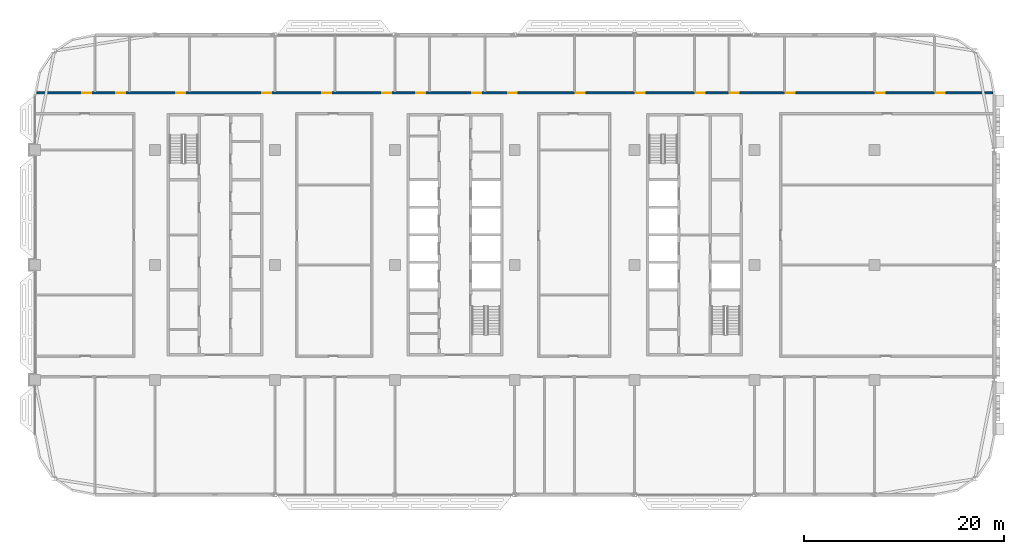
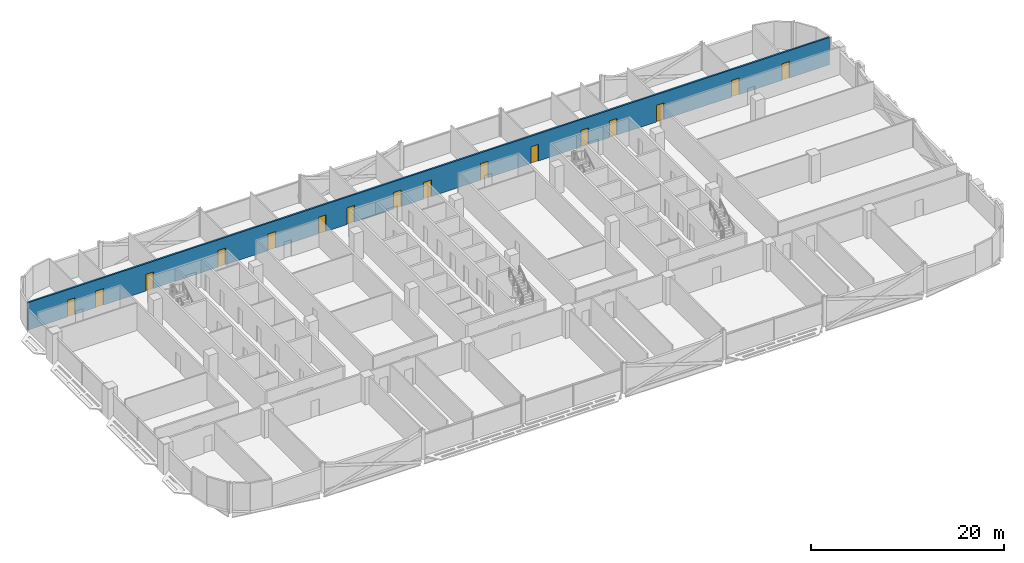
# One storey, part 16 of 30: 16 doors, 1 wall, 16 openings.
"""IFC4 building model written with IfcOpenShell, lengths in metres."""

from ifc_helpers import new_model, si_unit, direction, frame, frame_2d, origin, place, context, subcontext, project, spatial, rectangle, extrude, material, layer, layer_set, type_object, element, fill, save


model = new_model("IFC4")

# Units and contexts
model_context = context("Model", 3, precision=1e-05, world=origin(), true_north=direction((0.0, 1.0)))
body_context = subcontext(model_context, "Body", "Model", "MODEL_VIEW")
ifc_project = project(units=[si_unit("LENGTHUNIT", "METRE"), si_unit("AREAUNIT", "SQUARE_METRE"), si_unit("VOLUMEUNIT", "CUBIC_METRE"), si_unit("PLANEANGLEUNIT", "RADIAN"), si_unit("MASSUNIT", "GRAM", prefix="KILO")], contexts=[model_context])

# Site, building, storey
site_placement = place(None, origin())
site = spatial("IfcSite", under=ifc_project, at=site_placement, CompositionType="ELEMENT")
building_placement = place(site_placement, origin())
building = spatial("IfcBuilding", under=site, at=building_placement, Name="Mahtab Terrace Research Tower", CompositionType="ELEMENT")
storey_placement = place(building_placement, frame((0.0, 0.0, 212.89990234375)))
storey = spatial("IfcBuildingStorey", under=building, at=storey_placement, Name="L51", CompositionType="ELEMENT", Elevation=212.89990234375)

# Wall, openings, doors
ifc_material_1 = material(Name="Gypsum board corridor wall on steel studs", Category="steel")
ifc_layer = layer(ifc_material_1, 0.199951171875)
ifc_layer_set = layer_set([ifc_layer], Name="WALL CORRIDOR 200")
wall_type = type_object("IfcWallType", Name="WALL CORRIDOR 200", PredefinedType="PARTITIONING", material=ifc_layer_set)
wall_placement = place(storey_placement, frame((-41.97509765625, 17.199951171875, 0.0), z_axis=(0.0, 0.0, 1.0), x_axis=(1.0, 0.0, 0.0)))
wall = element("IfcWall", 1, at=wall_placement, inside=storey, type_object=wall_type, Name="L51-W026", PredefinedType="PARTITIONING", context=body_context, shape_type="SweptSolid", body=[
    extrude(rectangle(XDim=95.782470703125, YDim=0.199951171875, at=frame_2d((47.89111328125, 0.0))), origin(), (0.0, 0.0, 1.0), 3.460205078125),
])
opening_1_placement = place(wall_placement, frame((4.699951171875, 0.0, 0.0)))
opening_1 = element("IfcOpeningElement", 2, at=opening_1_placement, cuts=wall, Name="Opening L51-128", PredefinedType="OPENING", context=body_context, shape_type="SweptSolid", body=[
    extrude(rectangle(XDim=0.89990234375, YDim=2.10009765625, at=frame_2d((0.449951171875, 1.050048828125))), frame((0.0, 0.10986328125, 0.0), z_axis=(0.0, -1.0, 0.0), x_axis=(1.0, 0.0, 0.0)), (0.0, 0.0, 1.0), 0.219970703125),
])
opening_2_placement = place(wall_placement, frame((8.10009765625, 0.0, 0.0)))
opening_2 = element("IfcOpeningElement", 3, at=opening_2_placement, cuts=wall, Name="Opening L51-129", PredefinedType="OPENING", context=body_context, shape_type="SweptSolid", body=[
    extrude(rectangle(XDim=0.89990234375, YDim=2.10009765625, at=frame_2d((0.449951171875, 1.050048828125))), frame((0.0, 0.10986328125, 0.0), z_axis=(0.0, -1.0, 0.0), x_axis=(1.0, 0.0, 0.0)), (0.0, 0.0, 1.0), 0.219970703125),
])
opening_3_placement = place(wall_placement, frame((14.10009765625, 0.0, 0.0)))
opening_3 = element("IfcOpeningElement", 4, at=opening_3_placement, cuts=wall, Name="Opening L51-130", PredefinedType="OPENING", context=body_context, shape_type="SweptSolid", body=[
    extrude(rectangle(XDim=0.89990234375, YDim=2.10009765625, at=frame_2d((0.449951171875, 1.050048828125))), frame((0.0, 0.10986328125, 0.0), z_axis=(0.0, -1.0, 0.0), x_axis=(1.0, 0.0, 0.0)), (0.0, 0.0, 1.0), 0.219970703125),
])
opening_4_placement = place(wall_placement, frame((22.699951171875, 0.0, 0.0)))
opening_4 = element("IfcOpeningElement", 5, at=opening_4_placement, cuts=wall, Name="Opening L51-131", PredefinedType="OPENING", context=body_context, shape_type="SweptSolid", body=[
    extrude(rectangle(XDim=0.89990234375, YDim=2.10009765625, at=frame_2d((0.449951171875, 1.050048828125))), frame((0.0, 0.10986328125, 0.0), z_axis=(0.0, -1.0, 0.0), x_axis=(1.0, 0.0, 0.0)), (0.0, 0.0, 1.0), 0.219970703125),
])
opening_5_placement = place(wall_placement, frame((28.699951171875, 0.0, 0.0)))
opening_5 = element("IfcOpeningElement", 6, at=opening_5_placement, cuts=wall, Name="Opening L51-132", PredefinedType="OPENING", context=body_context, shape_type="SweptSolid", body=[
    extrude(rectangle(XDim=0.89990234375, YDim=2.10009765625, at=frame_2d((0.449951171875, 1.050048828125))), frame((0.0, 0.10986328125, 0.0), z_axis=(0.0, -1.0, 0.0), x_axis=(1.0, 0.0, 0.0)), (0.0, 0.0, 1.0), 0.219970703125),
])
opening_6_placement = place(wall_placement, frame((34.699951171875, 0.0, 0.0)))
opening_6 = element("IfcOpeningElement", 7, at=opening_6_placement, cuts=wall, Name="Opening L51-133", PredefinedType="OPENING", context=body_context, shape_type="SweptSolid", body=[
    extrude(rectangle(XDim=0.89990234375, YDim=2.10009765625, at=frame_2d((0.449951171875, 1.050048828125))), frame((0.0, 0.10986328125, 0.0), z_axis=(0.0, -1.0, 0.0), x_axis=(1.0, 0.0, 0.0)), (0.0, 0.0, 1.0), 0.219970703125),
])
opening_7_placement = place(wall_placement, frame((38.10009765625, 0.0, 0.0)))
opening_7 = element("IfcOpeningElement", 8, at=opening_7_placement, cuts=wall, Name="Opening L51-134", PredefinedType="OPENING", context=body_context, shape_type="SweptSolid", body=[
    extrude(rectangle(XDim=0.89990234375, YDim=2.10009765625, at=frame_2d((0.449951171875, 1.050048828125))), frame((0.0, 0.10986328125, 0.0), z_axis=(0.0, -1.0, 0.0), x_axis=(1.0, 0.0, 0.0)), (0.0, 0.0, 1.0), 0.219970703125),
])
opening_8_placement = place(wall_placement, frame((43.699951171875, 0.0, 0.0)))
opening_8 = element("IfcOpeningElement", 9, at=opening_8_placement, cuts=wall, Name="Opening L51-135", PredefinedType="OPENING", context=body_context, shape_type="SweptSolid", body=[
    extrude(rectangle(XDim=0.89990234375, YDim=2.10009765625, at=frame_2d((0.449951171875, 1.050048828125))), frame((0.0, 0.10986328125, 0.0), z_axis=(0.0, -1.0, 0.0), x_axis=(1.0, 0.0, 0.0)), (0.0, 0.0, 1.0), 0.219970703125),
])
opening_9_placement = place(wall_placement, frame((47.300048828125, 0.0, 0.0)))
opening_9 = element("IfcOpeningElement", 10, at=opening_9_placement, cuts=wall, Name="Opening L51-136", PredefinedType="OPENING", context=body_context, shape_type="SweptSolid", body=[
    extrude(rectangle(XDim=0.89990234375, YDim=2.10009765625, at=frame_2d((0.449951171875, 1.050048828125))), frame((0.0, 0.10986328125, 0.0), z_axis=(0.0, -1.0, 0.0), x_axis=(1.0, 0.0, 0.0)), (0.0, 0.0, 1.0), 0.219970703125),
])
opening_10_placement = place(wall_placement, frame((54.10009765625, 0.0, 0.0)))
opening_10 = element("IfcOpeningElement", 11, at=opening_10_placement, cuts=wall, Name="Opening L51-137", PredefinedType="OPENING", context=body_context, shape_type="SweptSolid", body=[
    extrude(rectangle(XDim=0.89990234375, YDim=2.10009765625, at=frame_2d((0.449951171875, 1.050048828125))), frame((0.0, 0.10986328125, 0.0), z_axis=(0.0, -1.0, 0.0), x_axis=(1.0, 0.0, 0.0)), (0.0, 0.0, 1.0), 0.219970703125),
])
opening_11_placement = place(wall_placement, frame((60.10009765625, 0.0, 0.0)))
opening_11 = element("IfcOpeningElement", 12, at=opening_11_placement, cuts=wall, Name="Opening L51-138", PredefinedType="OPENING", context=body_context, shape_type="SweptSolid", body=[
    extrude(rectangle(XDim=0.89990234375, YDim=2.10009765625, at=frame_2d((0.449951171875, 1.050048828125))), frame((0.0, 0.10986328125, 0.0), z_axis=(0.0, -1.0, 0.0), x_axis=(1.0, 0.0, 0.0)), (0.0, 0.0, 1.0), 0.219970703125),
])
opening_12_placement = place(wall_placement, frame((66.10009765625, 0.0, 0.0)))
opening_12 = element("IfcOpeningElement", 13, at=opening_12_placement, cuts=wall, Name="Opening L51-139", PredefinedType="OPENING", context=body_context, shape_type="SweptSolid", body=[
    extrude(rectangle(XDim=0.89990234375, YDim=2.10009765625, at=frame_2d((0.449951171875, 1.050048828125))), frame((0.0, 0.10986328125, 0.0), z_axis=(0.0, -1.0, 0.0), x_axis=(1.0, 0.0, 0.0)), (0.0, 0.0, 1.0), 0.219970703125),
])
opening_13_placement = place(wall_placement, frame((69.5, 0.0, 0.0)))
opening_13 = element("IfcOpeningElement", 14, at=opening_13_placement, cuts=wall, Name="Opening L51-140", PredefinedType="OPENING", context=body_context, shape_type="SweptSolid", body=[
    extrude(rectangle(XDim=0.89990234375, YDim=2.10009765625, at=frame_2d((0.449951171875, 1.050048828125))), frame((0.0, 0.10986328125, 0.0), z_axis=(0.0, -1.0, 0.0), x_axis=(1.0, 0.0, 0.0)), (0.0, 0.0, 1.0), 0.219970703125),
])
opening_14_placement = place(wall_placement, frame((75.10009765625, 0.0, 0.0)))
opening_14 = element("IfcOpeningElement", 15, at=opening_14_placement, cuts=wall, Name="Opening L51-141", PredefinedType="OPENING", context=body_context, shape_type="SweptSolid", body=[
    extrude(rectangle(XDim=0.89990234375, YDim=2.10009765625, at=frame_2d((0.449951171875, 1.050048828125))), frame((0.0, 0.10986328125, 0.0), z_axis=(0.0, -1.0, 0.0), x_axis=(1.0, 0.0, 0.0)), (0.0, 0.0, 1.0), 0.219970703125),
])
opening_15_placement = place(wall_placement, frame((84.10009765625, 0.0, 0.0)))
opening_15 = element("IfcOpeningElement", 16, at=opening_15_placement, cuts=wall, Name="Opening L51-142", PredefinedType="OPENING", context=body_context, shape_type="SweptSolid", body=[
    extrude(rectangle(XDim=0.89990234375, YDim=2.10009765625, at=frame_2d((0.449951171875, 1.050048828125))), frame((0.0, 0.10986328125, 0.0), z_axis=(0.0, -1.0, 0.0), x_axis=(1.0, 0.0, 0.0)), (0.0, 0.0, 1.0), 0.219970703125),
])
opening_16_placement = place(wall_placement, frame((90.10009765625, 0.0, 0.0)))
opening_16 = element("IfcOpeningElement", 17, at=opening_16_placement, cuts=wall, Name="Opening L51-143", PredefinedType="OPENING", context=body_context, shape_type="SweptSolid", body=[
    extrude(rectangle(XDim=0.89990234375, YDim=2.10009765625, at=frame_2d((0.449951171875, 1.050048828125))), frame((0.0, 0.10986328125, 0.0), z_axis=(0.0, -1.0, 0.0), x_axis=(1.0, 0.0, 0.0)), (0.0, 0.0, 1.0), 0.219970703125),
])
ifc_material_2 = material(Name="Timber door leaf in steel frame", Category="steel")
door_type = type_object("IfcDoorType", Name="DOOR 0900X2100 FD30S", OperationType="SINGLE_SWING_LEFT", PredefinedType="DOOR", material=ifc_material_2)
door_1_placement = place(opening_1_placement, origin())
door_1 = element("IfcDoor", 18, at=door_1_placement, inside=storey, type_object=door_type, Name="Door L51-128", OperationType="SINGLE_SWING_LEFT", OverallHeight=2.10009765625, OverallWidth=0.89990234375, PredefinedType="DOOR", context=body_context, shape_type="SweptSolid", body=[
    extrude(rectangle(XDim=0.89990234375, YDim=2.10009765625, at=frame_2d((0.449951171875, 1.050048828125))), frame((0.0, 0.02490234375, 0.0), z_axis=(0.0, -1.0, 0.0), x_axis=(1.0, 0.0, 0.0)), (0.0, 0.0, 1.0), 0.050048828125),
])
fill(opening_1, door_1)
door_2_placement = place(opening_2_placement, origin())
door_2 = element("IfcDoor", 19, at=door_2_placement, inside=storey, type_object=door_type, Name="Door L51-129", OperationType="SINGLE_SWING_LEFT", OverallHeight=2.10009765625, OverallWidth=0.89990234375, PredefinedType="DOOR", context=body_context, shape_type="SweptSolid", body=[
    extrude(rectangle(XDim=0.89990234375, YDim=2.10009765625, at=frame_2d((0.449951171875, 1.050048828125))), frame((0.0, 0.02490234375, 0.0), z_axis=(0.0, -1.0, 0.0), x_axis=(1.0, 0.0, 0.0)), (0.0, 0.0, 1.0), 0.050048828125),
])
fill(opening_2, door_2)
door_3_placement = place(opening_3_placement, origin())
door_3 = element("IfcDoor", 20, at=door_3_placement, inside=storey, type_object=door_type, Name="Door L51-130", OperationType="SINGLE_SWING_LEFT", OverallHeight=2.10009765625, OverallWidth=0.89990234375, PredefinedType="DOOR", context=body_context, shape_type="SweptSolid", body=[
    extrude(rectangle(XDim=0.89990234375, YDim=2.10009765625, at=frame_2d((0.449951171875, 1.050048828125))), frame((0.0, 0.02490234375, 0.0), z_axis=(0.0, -1.0, 0.0), x_axis=(1.0, 0.0, 0.0)), (0.0, 0.0, 1.0), 0.050048828125),
])
fill(opening_3, door_3)
door_4_placement = place(opening_4_placement, origin())
door_4 = element("IfcDoor", 21, at=door_4_placement, inside=storey, type_object=door_type, Name="Door L51-131", OperationType="SINGLE_SWING_LEFT", OverallHeight=2.10009765625, OverallWidth=0.89990234375, PredefinedType="DOOR", context=body_context, shape_type="SweptSolid", body=[
    extrude(rectangle(XDim=0.89990234375, YDim=2.10009765625, at=frame_2d((0.449951171875, 1.050048828125))), frame((0.0, 0.02490234375, 0.0), z_axis=(0.0, -1.0, 0.0), x_axis=(1.0, 0.0, 0.0)), (0.0, 0.0, 1.0), 0.050048828125),
])
fill(opening_4, door_4)
door_5_placement = place(opening_5_placement, origin())
door_5 = element("IfcDoor", 22, at=door_5_placement, inside=storey, type_object=door_type, Name="Door L51-132", OperationType="SINGLE_SWING_LEFT", OverallHeight=2.10009765625, OverallWidth=0.89990234375, PredefinedType="DOOR", context=body_context, shape_type="SweptSolid", body=[
    extrude(rectangle(XDim=0.89990234375, YDim=2.10009765625, at=frame_2d((0.449951171875, 1.050048828125))), frame((0.0, 0.02490234375, 0.0), z_axis=(0.0, -1.0, 0.0), x_axis=(1.0, 0.0, 0.0)), (0.0, 0.0, 1.0), 0.050048828125),
])
fill(opening_5, door_5)
door_6_placement = place(opening_6_placement, origin())
door_6 = element("IfcDoor", 23, at=door_6_placement, inside=storey, type_object=door_type, Name="Door L51-133", OperationType="SINGLE_SWING_LEFT", OverallHeight=2.10009765625, OverallWidth=0.89990234375, PredefinedType="DOOR", context=body_context, shape_type="SweptSolid", body=[
    extrude(rectangle(XDim=0.89990234375, YDim=2.10009765625, at=frame_2d((0.449951171875, 1.050048828125))), frame((0.0, 0.02490234375, 0.0), z_axis=(0.0, -1.0, 0.0), x_axis=(1.0, 0.0, 0.0)), (0.0, 0.0, 1.0), 0.050048828125),
])
fill(opening_6, door_6)
door_7_placement = place(opening_7_placement, origin())
door_7 = element("IfcDoor", 24, at=door_7_placement, inside=storey, type_object=door_type, Name="Door L51-134", OperationType="SINGLE_SWING_LEFT", OverallHeight=2.10009765625, OverallWidth=0.89990234375, PredefinedType="DOOR", context=body_context, shape_type="SweptSolid", body=[
    extrude(rectangle(XDim=0.89990234375, YDim=2.10009765625, at=frame_2d((0.449951171875, 1.050048828125))), frame((0.0, 0.02490234375, 0.0), z_axis=(0.0, -1.0, 0.0), x_axis=(1.0, 0.0, 0.0)), (0.0, 0.0, 1.0), 0.050048828125),
])
fill(opening_7, door_7)
door_8_placement = place(opening_8_placement, origin())
door_8 = element("IfcDoor", 25, at=door_8_placement, inside=storey, type_object=door_type, Name="Door L51-135", OperationType="SINGLE_SWING_LEFT", OverallHeight=2.10009765625, OverallWidth=0.89990234375, PredefinedType="DOOR", context=body_context, shape_type="SweptSolid", body=[
    extrude(rectangle(XDim=0.89990234375, YDim=2.10009765625, at=frame_2d((0.449951171875, 1.050048828125))), frame((0.0, 0.02490234375, 0.0), z_axis=(0.0, -1.0, 0.0), x_axis=(1.0, 0.0, 0.0)), (0.0, 0.0, 1.0), 0.050048828125),
])
fill(opening_8, door_8)
door_9_placement = place(opening_9_placement, origin())
door_9 = element("IfcDoor", 26, at=door_9_placement, inside=storey, type_object=door_type, Name="Door L51-136", OperationType="SINGLE_SWING_LEFT", OverallHeight=2.10009765625, OverallWidth=0.89990234375, PredefinedType="DOOR", context=body_context, shape_type="SweptSolid", body=[
    extrude(rectangle(XDim=0.89990234375, YDim=2.10009765625, at=frame_2d((0.449951171875, 1.050048828125))), frame((0.0, 0.02490234375, 0.0), z_axis=(0.0, -1.0, 0.0), x_axis=(1.0, 0.0, 0.0)), (0.0, 0.0, 1.0), 0.050048828125),
])
fill(opening_9, door_9)
door_10_placement = place(opening_10_placement, origin())
door_10 = element("IfcDoor", 27, at=door_10_placement, inside=storey, type_object=door_type, Name="Door L51-137", OperationType="SINGLE_SWING_RIGHT", OverallHeight=2.10009765625, OverallWidth=0.89990234375, PredefinedType="DOOR", context=body_context, shape_type="SweptSolid", body=[
    extrude(rectangle(XDim=0.89990234375, YDim=2.10009765625, at=frame_2d((0.449951171875, 1.050048828125))), frame((0.0, 0.02490234375, 0.0), z_axis=(0.0, -1.0, 0.0), x_axis=(1.0, 0.0, 0.0)), (0.0, 0.0, 1.0), 0.050048828125),
])
fill(opening_10, door_10)
door_11_placement = place(opening_11_placement, origin())
door_11 = element("IfcDoor", 28, at=door_11_placement, inside=storey, type_object=door_type, Name="Door L51-138", OperationType="SINGLE_SWING_RIGHT", OverallHeight=2.10009765625, OverallWidth=0.89990234375, PredefinedType="DOOR", context=body_context, shape_type="SweptSolid", body=[
    extrude(rectangle(XDim=0.89990234375, YDim=2.10009765625, at=frame_2d((0.449951171875, 1.050048828125))), frame((0.0, 0.02490234375, 0.0), z_axis=(0.0, -1.0, 0.0), x_axis=(1.0, 0.0, 0.0)), (0.0, 0.0, 1.0), 0.050048828125),
])
fill(opening_11, door_11)
door_12_placement = place(opening_12_placement, origin())
door_12 = element("IfcDoor", 29, at=door_12_placement, inside=storey, type_object=door_type, Name="Door L51-139", OperationType="SINGLE_SWING_RIGHT", OverallHeight=2.10009765625, OverallWidth=0.89990234375, PredefinedType="DOOR", context=body_context, shape_type="SweptSolid", body=[
    extrude(rectangle(XDim=0.89990234375, YDim=2.10009765625, at=frame_2d((0.449951171875, 1.050048828125))), frame((0.0, 0.02490234375, 0.0), z_axis=(0.0, -1.0, 0.0), x_axis=(1.0, 0.0, 0.0)), (0.0, 0.0, 1.0), 0.050048828125),
])
fill(opening_12, door_12)
door_13_placement = place(opening_13_placement, origin())
door_13 = element("IfcDoor", 30, at=door_13_placement, inside=storey, type_object=door_type, Name="Door L51-140", OperationType="SINGLE_SWING_RIGHT", OverallHeight=2.10009765625, OverallWidth=0.89990234375, PredefinedType="DOOR", context=body_context, shape_type="SweptSolid", body=[
    extrude(rectangle(XDim=0.89990234375, YDim=2.10009765625, at=frame_2d((0.449951171875, 1.050048828125))), frame((0.0, 0.02490234375, 0.0), z_axis=(0.0, -1.0, 0.0), x_axis=(1.0, 0.0, 0.0)), (0.0, 0.0, 1.0), 0.050048828125),
])
fill(opening_13, door_13)
door_14_placement = place(opening_14_placement, origin())
door_14 = element("IfcDoor", 31, at=door_14_placement, inside=storey, type_object=door_type, Name="Door L51-141", OperationType="SINGLE_SWING_RIGHT", OverallHeight=2.10009765625, OverallWidth=0.89990234375, PredefinedType="DOOR", context=body_context, shape_type="SweptSolid", body=[
    extrude(rectangle(XDim=0.89990234375, YDim=2.10009765625, at=frame_2d((0.449951171875, 1.050048828125))), frame((0.0, 0.02490234375, 0.0), z_axis=(0.0, -1.0, 0.0), x_axis=(1.0, 0.0, 0.0)), (0.0, 0.0, 1.0), 0.050048828125),
])
fill(opening_14, door_14)
door_15_placement = place(opening_15_placement, origin())
door_15 = element("IfcDoor", 32, at=door_15_placement, inside=storey, type_object=door_type, Name="Door L51-142", OperationType="SINGLE_SWING_RIGHT", OverallHeight=2.10009765625, OverallWidth=0.89990234375, PredefinedType="DOOR", context=body_context, shape_type="SweptSolid", body=[
    extrude(rectangle(XDim=0.89990234375, YDim=2.10009765625, at=frame_2d((0.449951171875, 1.050048828125))), frame((0.0, 0.02490234375, 0.0), z_axis=(0.0, -1.0, 0.0), x_axis=(1.0, 0.0, 0.0)), (0.0, 0.0, 1.0), 0.050048828125),
])
fill(opening_15, door_15)
door_16_placement = place(opening_16_placement, origin())
door_16 = element("IfcDoor", 33, at=door_16_placement, inside=storey, type_object=door_type, Name="Door L51-143", OperationType="SINGLE_SWING_RIGHT", OverallHeight=2.10009765625, OverallWidth=0.89990234375, PredefinedType="DOOR", context=body_context, shape_type="SweptSolid", body=[
    extrude(rectangle(XDim=0.89990234375, YDim=2.10009765625, at=frame_2d((0.449951171875, 1.050048828125))), frame((0.0, 0.02490234375, 0.0), z_axis=(0.0, -1.0, 0.0), x_axis=(1.0, 0.0, 0.0)), (0.0, 0.0, 1.0), 0.050048828125),
])
fill(opening_16, door_16)

save(model, "model.ifc")
